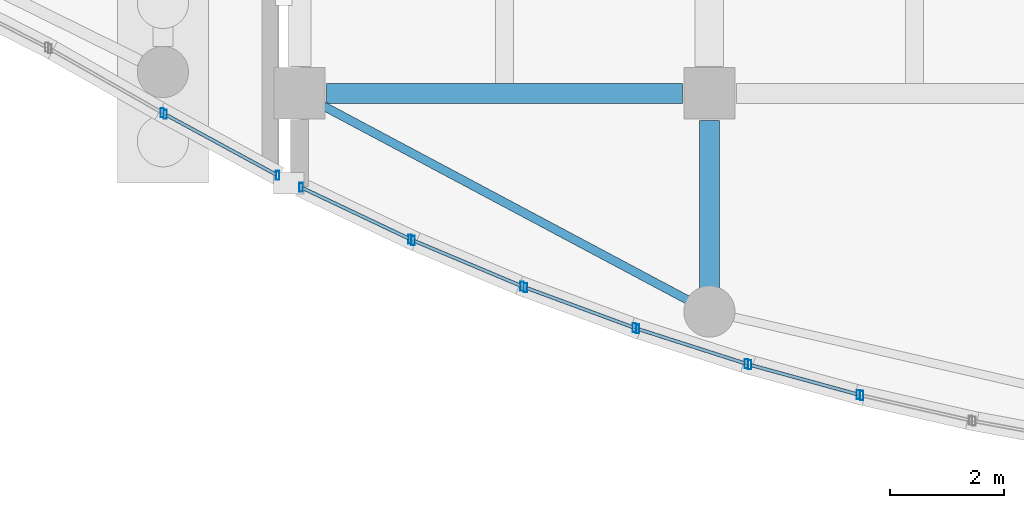
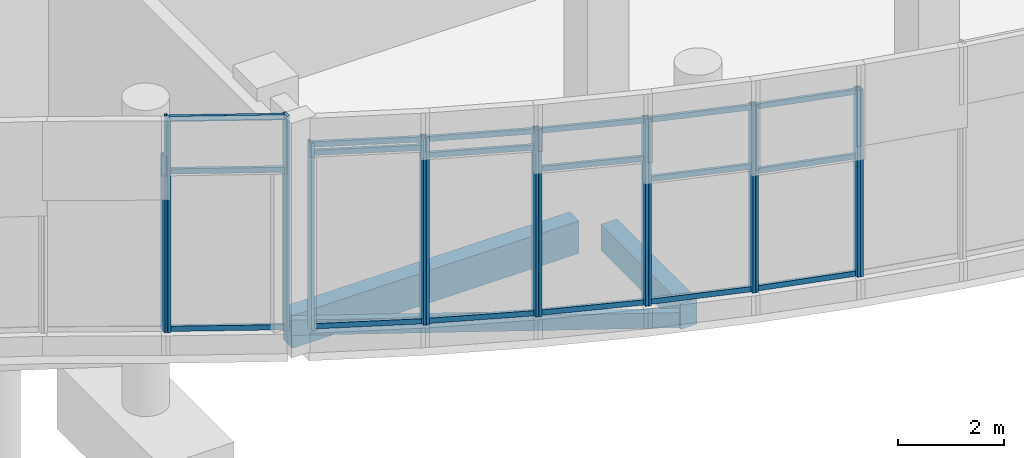
# One storey, part 70 of 192: 32 members, 3 beams, 8 elements without a shape of their own.
"""IFC4 building model written with IfcOpenShell, lengths in metres."""

import ifcopenshell
import ifcopenshell.guid

model = None  # the IFC model being written
_history = None  # IfcOwnerHistory: only IFC2X3 demands one
_inside = {}  # id of a spatial element -> (the spatial element, [elements in it])
_under = {}  # id of a project, library or spatial element -> (it, [spatial elements below it])
_declared = {}  # id of a project -> (the project, [libraries it declares])
_typed = {}  # id of a type object -> (the type object, [elements of that type])
_made_of = {}  # id of a material, layer set ... -> (it, [elements and type objects made of it])


def new_model(schema):
    """Start an empty IFC model of exactly this schema.

    Asked for "IFC4X3", IfcOpenShell would pick the latest addendum, in which some entities
    have other attributes; the version numbers below select the first issue.
    IFC2X3 requires an IfcOwnerHistory on every rooted entity: one is made here for all.
    """
    global model, _history
    if schema == "IFC4X3":
        model = ifcopenshell.file(schema_version=(4, 3, 0, 0))
    else:
        model = ifcopenshell.file(schema=schema)
    _inside.clear()
    _under.clear()
    _declared.clear()
    _typed.clear()
    _made_of.clear()
    _history = None
    if model.schema == "IFC2X3":
        org = make("IfcOrganization", Name="unknown")
        user = make(
            "IfcPersonAndOrganization",
            ThePerson=make("IfcPerson", FamilyName="unknown"),
            TheOrganization=org,
        )
        app = make(
            "IfcApplication",
            ApplicationDeveloper=org,
            Version="unknown",
            ApplicationFullName="unknown",
            ApplicationIdentifier="unknown",
        )
        _history = make(
            "IfcOwnerHistory",
            OwningUser=user,
            OwningApplication=app,
            ChangeAction="ADDED",
            CreationDate=0,
        )
    return model


def make(cls, **values):
    """One entity of the class cls with the attributes given. An attribute that is None is left unset."""
    return model.create_entity(
        cls, **{name: value for name, value in values.items() if value is not None}
    )


def rooted(cls, **values):
    """An entity with a GlobalId (a new one), such as an element, a storey or a relation."""
    return make(cls, GlobalId=ifcopenshell.guid.new(), OwnerHistory=_history, **values)


def si_unit(unit_type, name, prefix=None):
    """IfcSIUnit, for example si_unit("LENGTHUNIT", "METRE", prefix="MILLI")."""
    return make("IfcSIUnit", UnitType=unit_type, Prefix=prefix, Name=name)


def assignment(units):
    """IfcUnitAssignment: the units of a project."""
    return None if units is None else make("IfcUnitAssignment", Units=units)


def point(xyz):
    """IfcCartesianPoint."""
    return None if xyz is None else make("IfcCartesianPoint", Coordinates=xyz)


def direction(xyz):
    """IfcDirection."""
    return None if xyz is None else make("IfcDirection", DirectionRatios=xyz)


def frame(location, z_axis=None, x_axis=None):
    """IfcAxis2Placement3D, a coordinate frame: its origin and axes. An axis left out is left unset."""
    return make(
        "IfcAxis2Placement3D",
        Location=point(location),
        Axis=direction(z_axis),
        RefDirection=direction(x_axis),
    )


def frame_2d(location, x_axis=None):
    """IfcAxis2Placement2D, a coordinate frame in the plane: its origin and x axis."""
    return make(
        "IfcAxis2Placement2D", Location=point(location), RefDirection=direction(x_axis)
    )


def origin():
    """The frame at (0, 0, 0) with its axes left unset."""
    return frame((0.0, 0.0, 0.0))


def origin_2d():
    """The frame at (0, 0) in the plane with its x axis left unset."""
    return frame_2d((0.0, 0.0))


def place(relative_to, where):
    """IfcLocalPlacement: puts the frame where relative to a parent placement (None: the world)."""
    return make(
        "IfcLocalPlacement", PlacementRelTo=relative_to, RelativePlacement=where
    )


def context(
    kind, dimensions, precision=None, world=None, true_north=None, identifier=None
):
    """IfcGeometricRepresentationContext, for example the 3D "Model" context."""
    return make(
        "IfcGeometricRepresentationContext",
        ContextIdentifier=identifier,
        ContextType=kind,
        CoordinateSpaceDimension=dimensions,
        Precision=precision,
        WorldCoordinateSystem=world,
        TrueNorth=true_north,
    )


def subcontext(parent, identifier, kind, view, scale=None):
    """IfcGeometricRepresentationSubContext, for example "Body" below "Model"."""
    return make(
        "IfcGeometricRepresentationSubContext",
        ContextIdentifier=identifier,
        ContextType=kind,
        ParentContext=parent,
        TargetScale=scale,
        TargetView=view,
    )


def project(units=None, contexts=None):
    """IfcProject with its units and contexts."""
    return rooted(
        "IfcProject",
        Name="project",
        RepresentationContexts=contexts,
        UnitsInContext=assignment(units),
    )


def spatial(cls, under=None, at=None, **own):
    """A site, building, storey or space (cls), placed at a placement, below another one or the project."""
    s = rooted(cls, ObjectPlacement=at, **own)
    if under is not None:
        _under.setdefault(under.id(), (under, []))[1].append(s)
    return s


def profile(cls, at=None, kind="AREA", **sizes):
    """A parametric profile (cls). Its sizes go by their IFC names, for example OverallWidth=200.0."""
    return make(cls, ProfileType=kind, Position=at, **sizes)


def rectangle(**sizes):
    """IfcRectangleProfileDef."""
    return profile("IfcRectangleProfileDef", **sizes)


def hollow_rectangle(**sizes):
    """IfcRectangleHollowProfileDef."""
    return profile("IfcRectangleHollowProfileDef", **sizes)


def extrude(swept, where, along, depth):
    """IfcExtrudedAreaSolid: the profile swept, set in the frame where, extruded along a direction by depth."""
    return make(
        "IfcExtrudedAreaSolid",
        SweptArea=swept,
        Position=where,
        ExtrudedDirection=direction(along),
        Depth=depth,
    )


def shape(context_of_items, identifier, shape_type, items):
    """IfcShapeRepresentation: the items that make up one representation, for example the "Body"."""
    return make(
        "IfcShapeRepresentation",
        ContextOfItems=context_of_items,
        RepresentationIdentifier=identifier,
        RepresentationType=shape_type,
        Items=items,
    )


def material(Name=None, Category=None):
    """IfcMaterial."""
    return make("IfcMaterial", Name=Name, Category=Category)


def material_profile(
    of_material, cross_section, Name=None, Category=None, Priority=None
):
    """IfcMaterialProfile: a cross section and its material."""
    return make(
        "IfcMaterialProfile",
        Name=Name,
        Material=of_material,
        Profile=cross_section,
        Priority=Priority,
        Category=Category,
    )


def profile_set(profiles, Name=None, composite=None):
    """IfcMaterialProfileSet."""
    return make(
        "IfcMaterialProfileSet",
        Name=Name,
        MaterialProfiles=profiles,
        CompositeProfile=composite,
    )


def made_of(thing, what):
    """Note that an element or type object is made of a material, layer set ...; save() writes the relation."""
    if what is not None:
        _made_of.setdefault(what.id(), (what, []))[1].append(thing)
    return thing


def type_object(cls, material=None, **own):
    """A type object (cls), such as IfcWallType, which elements share."""
    return made_of(rooted(cls, **own), material)


def element(
    cls,
    number,
    at=None,
    inside=None,
    cuts=None,
    type_object=None,
    material=None,
    context=None,
    identifier="Body",
    shape_type=None,
    held_by="IfcProductDefinitionShape",
    body=None,
    shapes=None,
    **own,
):
    """One element of the class cls, such as IfcWall. Its Tag is "e" and its number.

    at: its placement. inside: the storey or other place that contains it. cuts: it is an
    opening in that element (IfcRelVoidsElement). A single representation is given by context,
    identifier, shape_type and body (its items); several are given by shapes. held_by: the class
    of the entity that holds the representations. save() writes the other relations.
    """
    e = rooted(cls, Tag="e%d" % number, ObjectPlacement=at, **own)
    if body is not None:
        shapes = [shape(context, identifier, shape_type, body)]
    if shapes is not None:
        e.Representation = make(held_by, Representations=shapes)
    if inside is not None:
        _inside.setdefault(inside.id(), (inside, []))[1].append(e)
    if cuts is not None:
        rooted(
            "IfcRelVoidsElement", RelatingBuildingElement=cuts, RelatedOpeningElement=e
        )
    if type_object is not None:
        _typed.setdefault(type_object.id(), (type_object, []))[1].append(e)
    return made_of(e, material)


def aggregate(whole, parts):
    """IfcRelAggregates: a whole, such as a stair, and the parts it consists of."""
    return rooted("IfcRelAggregates", RelatingObject=whole, RelatedObjects=parts)


def save(model, path):
    """Write the relations noted so far, then the file.

    IfcRelAggregates (storeys below a building ...), IfcRelContainedInSpatialStructure (elements
    in a storey), IfcRelDefinesByType, IfcRelAssociatesMaterial and IfcRelDeclares: one each for
    every whole, place, type object, material and project.
    """
    for whole, parts in _under.values():
        aggregate(whole, parts)
    for where, things in _inside.values():
        rooted(
            "IfcRelContainedInSpatialStructure",
            RelatedElements=things,
            RelatingStructure=where,
        )
    for kind, things in _typed.values():
        rooted("IfcRelDefinesByType", RelatedObjects=things, RelatingType=kind)
    for what, things in _made_of.values():
        rooted("IfcRelAssociatesMaterial", RelatedObjects=things, RelatingMaterial=what)
    for by, libraries in _declared.values():
        rooted("IfcRelDeclares", RelatingContext=by, RelatedDefinitions=libraries)
    model.write(path)


model = new_model("IFC4")

# Units and contexts
model_context = context("Model", 3, precision=1e-05, world=origin(), true_north=direction((0.0, 1.0)))
body_context = subcontext(model_context, "Body", "Model", "MODEL_VIEW")
ifc_project = project(units=[si_unit("LENGTHUNIT", "METRE"), si_unit("AREAUNIT", "SQUARE_METRE"), si_unit("VOLUMEUNIT", "CUBIC_METRE"), si_unit("PLANEANGLEUNIT", "RADIAN"), si_unit("MASSUNIT", "GRAM", prefix="KILO")], contexts=[model_context])

# Site, building, storey
site_placement = place(None, origin())
site = spatial("IfcSite", under=ifc_project, at=site_placement, CompositionType="ELEMENT")
building_placement = place(site_placement, origin())
building = spatial("IfcBuilding", under=site, at=building_placement, Name="Cendralis Lancet Convention Centre", CompositionType="ELEMENT")
storey_placement = place(building_placement, origin())
storey = spatial("IfcBuildingStorey", under=building, at=storey_placement, Name="L00", CompositionType="ELEMENT", Elevation=0.0)

# Curtain wall, member
ifc_material_1 = material(Name="Anodised bronze architectural aluminium", Category="aluminium")
curtain_wall_type_1 = type_object("IfcCurtainWallType", Name="ARC-CW-WF01", PredefinedType="USERDEFINED", material=ifc_material_1)
curtain_wall_1_placement = place(storey_placement, origin())
curtain_wall_1 = element("IfcCurtainWall", 1, at=curtain_wall_1_placement, inside=storey, type_object=curtain_wall_type_1, Name="L00 Curtain Wall CW-WF1 #054", ObjectType="CURTAIN WALL", PredefinedType="USERDEFINED")
ifc_material_profile_1 = material_profile(ifc_material_1, hollow_rectangle(XDim=0.06005859375, YDim=0.159912109375, WallThickness=0.00390625, at=origin_2d()), Name="AL-MULL 60x160x4.0")
ifc_profile_set_1 = profile_set([ifc_material_profile_1], Name="Anodised bronze architectural aluminium")
member_type_1 = type_object("IfcMemberType", Name="ARC-CW-ML01", PredefinedType="MULLION", material=ifc_profile_set_1)
member_1_placement = place(storey_placement, frame((129.5888671875, 6.85888671875, 0.449951171875), z_axis=(0.0, 0.0, 1.0), x_axis=(1.0, 0.0, 0.0)))
member_1 = element("IfcMember", 2, at=member_1_placement, type_object=member_type_1, Name="Mullion CW2-CW-WF1-L00-054-M1", PredefinedType="MULLION", context=body_context, shape_type="SweptSolid", body=[
    extrude(hollow_rectangle(XDim=0.06005859375, YDim=0.159912109375, WallThickness=0.00390625, at=origin_2d()), origin(), (0.0, 0.0, 1.0), 4.054931640625),
])
aggregate(curtain_wall_1, [member_1])

# Curtain wall, members
curtain_wall_2_placement = place(storey_placement, origin())
curtain_wall_2 = element("IfcCurtainWall", 3, at=curtain_wall_2_placement, inside=storey, type_object=curtain_wall_type_1, Name="L00 Curtain Wall CW-WF1 #055", ObjectType="CURTAIN WALL", PredefinedType="USERDEFINED")
member_2_placement = place(storey_placement, frame((129.641357421875, 6.82958984375, 0.449951171875), z_axis=(0.0, 0.0, 1.0), x_axis=(1.0, 0.0, 0.0)))
member_2 = element("IfcMember", 4, at=member_2_placement, type_object=member_type_1, Name="Mullion CW2-CW-WF1-L00-055-M0", PredefinedType="MULLION", context=body_context, shape_type="SweptSolid", body=[
    extrude(hollow_rectangle(XDim=0.06005859375, YDim=0.159912109375, WallThickness=0.00390625, at=origin_2d()), origin(), (0.0, 0.0, 1.0), 4.949951171875),
])
member_3_placement = place(storey_placement, frame((131.613525390625, 5.75732421875, 0.449951171875), z_axis=(0.0, 0.0, 1.0), x_axis=(1.0, 0.0, 0.0)))
member_3 = element("IfcMember", 5, at=member_3_placement, type_object=member_type_1, Name="Mullion CW2-CW-WF1-L00-055-M1", PredefinedType="MULLION", context=body_context, shape_type="SweptSolid", body=[
    extrude(hollow_rectangle(XDim=0.06005859375, YDim=0.159912109375, WallThickness=0.00390625, at=origin_2d()), origin(), (0.0, 0.0, 1.0), 4.949951171875),
])

curtain_wall_type_2 = type_object("IfcCurtainWallType", Name="ARC-CW-WF02", PredefinedType="USERDEFINED", material=ifc_material_1)
curtain_wall_3_placement = place(storey_placement, origin())
curtain_wall_3 = element("IfcCurtainWall", 6, at=curtain_wall_3_placement, inside=storey, type_object=curtain_wall_type_2, Name="L00 Curtain Wall CW-WF2 #056", ObjectType="CURTAIN WALL", PredefinedType="USERDEFINED")
member_4_placement = place(storey_placement, frame((132.027099609375, 5.547119140625, 0.449951171875), z_axis=(0.0, 0.0, 1.0), x_axis=(1.0, 0.0, 0.0)))
member_4 = element("IfcMember", 7, at=member_4_placement, type_object=member_type_1, Name="Mullion CW2-CW-WF2-L00-056-M0", PredefinedType="MULLION", context=body_context, shape_type="SweptSolid", body=[
    extrude(hollow_rectangle(XDim=0.06005859375, YDim=0.159912109375, WallThickness=0.00390625, at=origin_2d()), origin(), (0.0, 0.0, 1.0), 4.304931640625),
])
member_5_placement = place(storey_placement, frame((133.94189453125, 4.638916015625, 0.449951171875), z_axis=(0.0, 0.0, 1.0), x_axis=(1.0, 0.0, 0.0)))
member_5 = element("IfcMember", 8, at=member_5_placement, type_object=member_type_1, Name="Mullion CW2-CW-WF2-L00-056-M1", PredefinedType="MULLION", context=body_context, shape_type="SweptSolid", body=[
    extrude(hollow_rectangle(XDim=0.06005859375, YDim=0.159912109375, WallThickness=0.00390625, at=origin_2d()), origin(), (0.0, 0.0, 1.0), 4.304931640625),
])

curtain_wall_4_placement = place(storey_placement, origin())
curtain_wall_4 = element("IfcCurtainWall", 9, at=curtain_wall_4_placement, inside=storey, type_object=curtain_wall_type_2, Name="L00 Curtain Wall CW-WF2 #057", ObjectType="CURTAIN WALL", PredefinedType="USERDEFINED")
member_6_placement = place(storey_placement, frame((133.99658203125, 4.614501953125, 0.449951171875), z_axis=(0.0, 0.0, 1.0), x_axis=(1.0, 0.0, 0.0)))
member_6 = element("IfcMember", 10, at=member_6_placement, type_object=member_type_1, Name="Mullion CW2-CW-WF2-L00-057-M0", PredefinedType="MULLION", context=body_context, shape_type="SweptSolid", body=[
    extrude(hollow_rectangle(XDim=0.06005859375, YDim=0.159912109375, WallThickness=0.00390625, at=origin_2d()), origin(), (0.0, 0.0, 1.0), 4.304931640625),
])
member_7_placement = place(storey_placement, frame((135.910400390625, 3.8095703125, 0.449951171875), z_axis=(0.0, 0.0, 1.0), x_axis=(1.0, 0.0, 0.0)))
member_7 = element("IfcMember", 11, at=member_7_placement, type_object=member_type_1, Name="Mullion CW2-CW-WF2-L00-057-M1", PredefinedType="MULLION", context=body_context, shape_type="SweptSolid", body=[
    extrude(hollow_rectangle(XDim=0.06005859375, YDim=0.159912109375, WallThickness=0.00390625, at=origin_2d()), origin(), (0.0, 0.0, 1.0), 4.304931640625),
])

curtain_wall_5_placement = place(storey_placement, origin())
curtain_wall_5 = element("IfcCurtainWall", 12, at=curtain_wall_5_placement, inside=storey, type_object=curtain_wall_type_2, Name="L00 Curtain Wall CW-WF2 #058", ObjectType="CURTAIN WALL", PredefinedType="USERDEFINED")
member_8_placement = place(storey_placement, frame((135.966064453125, 3.78759765625, 0.449951171875), z_axis=(0.0, 0.0, 1.0), x_axis=(1.0, 0.0, 0.0)))
member_8 = element("IfcMember", 13, at=member_8_placement, type_object=member_type_1, Name="Mullion CW2-CW-WF2-L00-058-M0", PredefinedType="MULLION", context=body_context, shape_type="SweptSolid", body=[
    extrude(hollow_rectangle(XDim=0.06005859375, YDim=0.159912109375, WallThickness=0.00390625, at=origin_2d()), origin(), (0.0, 0.0, 1.0), 4.304931640625),
])
member_9_placement = place(storey_placement, frame((137.8798828125, 3.081298828125, 0.449951171875), z_axis=(0.0, 0.0, 1.0), x_axis=(1.0, 0.0, 0.0)))
member_9 = element("IfcMember", 14, at=member_9_placement, type_object=member_type_1, Name="Mullion CW2-CW-WF2-L00-058-M1", PredefinedType="MULLION", context=body_context, shape_type="SweptSolid", body=[
    extrude(hollow_rectangle(XDim=0.06005859375, YDim=0.159912109375, WallThickness=0.00390625, at=origin_2d()), origin(), (0.0, 0.0, 1.0), 4.304931640625),
])

curtain_wall_6_placement = place(storey_placement, origin())
curtain_wall_6 = element("IfcCurtainWall", 15, at=curtain_wall_6_placement, inside=storey, type_object=curtain_wall_type_2, Name="L00 Curtain Wall CW-WF2 #059", ObjectType="CURTAIN WALL", PredefinedType="USERDEFINED")
member_10_placement = place(storey_placement, frame((137.9365234375, 3.061767578125, 0.449951171875), z_axis=(0.0, 0.0, 1.0), x_axis=(1.0, 0.0, 0.0)))
member_10 = element("IfcMember", 16, at=member_10_placement, type_object=member_type_1, Name="Mullion CW2-CW-WF2-L00-059-M0", PredefinedType="MULLION", context=body_context, shape_type="SweptSolid", body=[
    extrude(hollow_rectangle(XDim=0.06005859375, YDim=0.159912109375, WallThickness=0.00390625, at=origin_2d()), origin(), (0.0, 0.0, 1.0), 4.304931640625),
])
member_11_placement = place(storey_placement, frame((139.848388671875, 2.4482421875, 0.449951171875), z_axis=(0.0, 0.0, 1.0), x_axis=(1.0, 0.0, 0.0)))
member_11 = element("IfcMember", 17, at=member_11_placement, type_object=member_type_1, Name="Mullion CW2-CW-WF2-L00-059-M1", PredefinedType="MULLION", context=body_context, shape_type="SweptSolid", body=[
    extrude(hollow_rectangle(XDim=0.06005859375, YDim=0.159912109375, WallThickness=0.00390625, at=origin_2d()), origin(), (0.0, 0.0, 1.0), 4.304931640625),
])

curtain_wall_7_placement = place(storey_placement, origin())
curtain_wall_7 = element("IfcCurtainWall", 18, at=curtain_wall_7_placement, inside=storey, type_object=curtain_wall_type_2, Name="L00 Curtain Wall CW-WF2 #060", ObjectType="CURTAIN WALL", PredefinedType="USERDEFINED")
member_12_placement = place(storey_placement, frame((139.906005859375, 2.43115234375, 0.449951171875), z_axis=(0.0, 0.0, 1.0), x_axis=(1.0, 0.0, 0.0)))
member_12 = element("IfcMember", 19, at=member_12_placement, type_object=member_type_1, Name="Mullion CW2-CW-WF2-L00-060-M0", PredefinedType="MULLION", context=body_context, shape_type="SweptSolid", body=[
    extrude(hollow_rectangle(XDim=0.06005859375, YDim=0.159912109375, WallThickness=0.00390625, at=origin_2d()), origin(), (0.0, 0.0, 1.0), 4.304931640625),
])
member_13_placement = place(storey_placement, frame((141.817138671875, 1.906982421875, 0.449951171875), z_axis=(0.0, 0.0, 1.0), x_axis=(1.0, 0.0, 0.0)))
member_13 = element("IfcMember", 20, at=member_13_placement, type_object=member_type_1, Name="Mullion CW2-CW-WF2-L00-060-M1", PredefinedType="MULLION", context=body_context, shape_type="SweptSolid", body=[
    extrude(hollow_rectangle(XDim=0.06005859375, YDim=0.159912109375, WallThickness=0.00390625, at=origin_2d()), origin(), (0.0, 0.0, 1.0), 4.304931640625),
])

# Curtain wall, member
curtain_wall_8_placement = place(storey_placement, origin())
curtain_wall_8 = element("IfcCurtainWall", 21, at=curtain_wall_8_placement, inside=storey, type_object=curtain_wall_type_2, Name="L00 Curtain Wall CW-WF2 #061", ObjectType="CURTAIN WALL", PredefinedType="USERDEFINED")
member_14_placement = place(storey_placement, frame((141.875244140625, 1.892333984375, 0.449951171875), z_axis=(0.0, 0.0, 1.0), x_axis=(1.0, 0.0, 0.0)))
member_14 = element("IfcMember", 22, at=member_14_placement, type_object=member_type_1, Name="Mullion CW2-CW-WF2-L00-061-M0", PredefinedType="MULLION", context=body_context, shape_type="SweptSolid", body=[
    extrude(hollow_rectangle(XDim=0.06005859375, YDim=0.159912109375, WallThickness=0.00390625, at=origin_2d()), origin(), (0.0, 0.0, 1.0), 4.304931640625),
])
aggregate(curtain_wall_8, [member_14])

# Member
ifc_material_profile_2 = material_profile(ifc_material_1, hollow_rectangle(XDim=0.06005859375, YDim=0.1201171875, WallThickness=0.00390625, at=origin_2d()), Name="AL-TRAN 60x120x4.0")
ifc_profile_set_2 = profile_set([ifc_material_profile_2], Name="Anodised bronze architectural aluminium")
member_type_2 = type_object("IfcMemberType", Name="ARC-CW-TR01", PredefinedType="USERDEFINED", material=ifc_profile_set_2)
member_15_placement = place(storey_placement, frame((129.667724609375, 6.815185546875, 0.510009765625), z_axis=(0.878594952996, -0.477567700509, 0.0), x_axis=(0.477567700509, 0.878594952996, 0.0)))
member_15 = element("IfcMember", 23, at=member_15_placement, type_object=member_type_2, Name="Transom CW2-CW-WF1-L00-055-T0BOT", ObjectType="TRANSOM", PredefinedType="USERDEFINED", context=body_context, shape_type="SweptSolid", body=[
    extrude(hollow_rectangle(XDim=0.06005859375, YDim=0.1201171875, WallThickness=0.00390625, at=origin_2d()), origin(), (0.0, 0.0, 1.0), 2.18505859375),
])

member_16_placement = place(storey_placement, frame((129.667724609375, 6.815185546875, 4.133056640625), z_axis=(0.878594952996, -0.477567700509, 0.0), x_axis=(0.477567700509, 0.878594952996, 0.0)))
member_16 = element("IfcMember", 24, at=member_16_placement, type_object=member_type_2, Name="Transom CW2-CW-WF1-L00-055-T0MID", ObjectType="TRANSOM", PredefinedType="USERDEFINED", context=body_context, shape_type="SweptSolid", body=[
    extrude(hollow_rectangle(XDim=0.06005859375, YDim=0.1201171875, WallThickness=0.00390625, at=origin_2d()), origin(), (0.0, 0.0, 1.0), 2.18505859375),
])

member_17_placement = place(storey_placement, frame((129.667724609375, 6.815185546875, 5.340087890625), z_axis=(0.878594952996, -0.477567700509, 0.0), x_axis=(0.477567700509, 0.878594952996, 0.0)))
member_17 = element("IfcMember", 25, at=member_17_placement, type_object=member_type_2, Name="Transom CW2-CW-WF1-L00-055-T0TOP", ObjectType="TRANSOM", PredefinedType="USERDEFINED", context=body_context, shape_type="SweptSolid", body=[
    extrude(hollow_rectangle(XDim=0.06005859375, YDim=0.1201171875, WallThickness=0.00390625, at=origin_2d()), origin(), (0.0, 0.0, 1.0), 2.18505859375),
])

aggregate(curtain_wall_2, [member_2, member_3, member_15, member_16, member_17])

member_18_placement = place(storey_placement, frame((132.05419921875, 5.5341796875, 0.510009765625), z_axis=(0.903505961382, -0.428575521637, 0.0), x_axis=(0.428575521637, 0.903505961382, 0.0)))
member_18 = element("IfcMember", 26, at=member_18_placement, type_object=member_type_2, Name="Transom CW2-CW-WF2-L00-056-T0BOT", ObjectType="TRANSOM", PredefinedType="USERDEFINED", context=body_context, shape_type="SweptSolid", body=[
    extrude(hollow_rectangle(XDim=0.06005859375, YDim=0.1201171875, WallThickness=0.00390625, at=origin_2d()), origin(), (0.0, 0.0, 1.0), 2.059326171875),
])

member_19_placement = place(storey_placement, frame((132.05419921875, 5.5341796875, 4.501953125), z_axis=(0.903505961382, -0.428575521637, 0.0), x_axis=(0.428575521637, 0.903505961382, 0.0)))
member_19 = element("IfcMember", 27, at=member_19_placement, type_object=member_type_2, Name="Transom CW2-CW-WF2-L00-056-T0MID", ObjectType="TRANSOM", PredefinedType="USERDEFINED", context=body_context, shape_type="SweptSolid", body=[
    extrude(hollow_rectangle(XDim=0.06005859375, YDim=0.1201171875, WallThickness=0.00390625, at=origin_2d()), origin(), (0.0, 0.0, 1.0), 2.059326171875),
])

member_20_placement = place(storey_placement, frame((132.05419921875, 5.5341796875, 4.695068359375), z_axis=(0.903505961382, -0.428575521637, 0.0), x_axis=(0.428575521637, 0.903505961382, 0.0)))
member_20 = element("IfcMember", 28, at=member_20_placement, type_object=member_type_2, Name="Transom CW2-CW-WF2-L00-056-T0TOP", ObjectType="TRANSOM", PredefinedType="USERDEFINED", context=body_context, shape_type="SweptSolid", body=[
    extrude(hollow_rectangle(XDim=0.06005859375, YDim=0.1201171875, WallThickness=0.00390625, at=origin_2d()), origin(), (0.0, 0.0, 1.0), 2.059326171875),
])

aggregate(curtain_wall_3, [member_4, member_5, member_18, member_19, member_20])

member_21_placement = place(storey_placement, frame((134.0244140625, 4.602783203125, 0.510009765625), z_axis=(0.921810804169, -0.387640092505, 0.0), x_axis=(0.387640092505, 0.921810804169, 0.0)))
member_21 = element("IfcMember", 29, at=member_21_placement, type_object=member_type_2, Name="Transom CW2-CW-WF2-L00-057-T0BOT", ObjectType="TRANSOM", PredefinedType="USERDEFINED", context=body_context, shape_type="SweptSolid", body=[
    extrude(hollow_rectangle(XDim=0.06005859375, YDim=0.1201171875, WallThickness=0.00390625, at=origin_2d()), origin(), (0.0, 0.0, 1.0), 2.01611328125),
])

member_22_placement = place(storey_placement, frame((134.0244140625, 4.602783203125, 4.322021484375), z_axis=(0.921810804169, -0.387640092505, 0.0), x_axis=(0.387640092505, 0.921810804169, 0.0)))
member_22 = element("IfcMember", 30, at=member_22_placement, type_object=member_type_2, Name="Transom CW2-CW-WF2-L00-057-T0MID", ObjectType="TRANSOM", PredefinedType="USERDEFINED", context=body_context, shape_type="SweptSolid", body=[
    extrude(hollow_rectangle(XDim=0.06005859375, YDim=0.1201171875, WallThickness=0.00390625, at=origin_2d()), origin(), (0.0, 0.0, 1.0), 2.01611328125),
])

member_23_placement = place(storey_placement, frame((134.0244140625, 4.602783203125, 4.695068359375), z_axis=(0.921810804169, -0.387640092505, 0.0), x_axis=(0.387640092505, 0.921810804169, 0.0)))
member_23 = element("IfcMember", 31, at=member_23_placement, type_object=member_type_2, Name="Transom CW2-CW-WF2-L00-057-T0TOP", ObjectType="TRANSOM", PredefinedType="USERDEFINED", context=body_context, shape_type="SweptSolid", body=[
    extrude(hollow_rectangle(XDim=0.06005859375, YDim=0.1201171875, WallThickness=0.00390625, at=origin_2d()), origin(), (0.0, 0.0, 1.0), 2.01611328125),
])

aggregate(curtain_wall_4, [member_6, member_7, member_21, member_22, member_23])

member_24_placement = place(storey_placement, frame((135.994384765625, 3.777099609375, 0.510009765625), z_axis=(0.93818089947, -0.346145345007, 0.0), x_axis=(0.346145345007, 0.93818089947, 0.0)))
member_24 = element("IfcMember", 32, at=member_24_placement, type_object=member_type_2, Name="Transom CW2-CW-WF2-L00-058-T0BOT", ObjectType="TRANSOM", PredefinedType="USERDEFINED", context=body_context, shape_type="SweptSolid", body=[
    extrude(hollow_rectangle(XDim=0.06005859375, YDim=0.1201171875, WallThickness=0.00390625, at=origin_2d()), origin(), (0.0, 0.0, 1.0), 1.979736328125),
])

member_25_placement = place(storey_placement, frame((135.994384765625, 3.777099609375, 3.81396484375), z_axis=(0.93818089947, -0.346145345007, 0.0), x_axis=(0.346145345007, 0.93818089947, 0.0)))
member_25 = element("IfcMember", 33, at=member_25_placement, type_object=member_type_2, Name="Transom CW2-CW-WF2-L00-058-T0MID", ObjectType="TRANSOM", PredefinedType="USERDEFINED", context=body_context, shape_type="SweptSolid", body=[
    extrude(hollow_rectangle(XDim=0.06005859375, YDim=0.1201171875, WallThickness=0.00390625, at=origin_2d()), origin(), (0.0, 0.0, 1.0), 1.979736328125),
])

member_26_placement = place(storey_placement, frame((135.994384765625, 3.777099609375, 4.695068359375), z_axis=(0.93818089947, -0.346145345007, 0.0), x_axis=(0.346145345007, 0.93818089947, 0.0)))
member_26 = element("IfcMember", 34, at=member_26_placement, type_object=member_type_2, Name="Transom CW2-CW-WF2-L00-058-T0TOP", ObjectType="TRANSOM", PredefinedType="USERDEFINED", context=body_context, shape_type="SweptSolid", body=[
    extrude(hollow_rectangle(XDim=0.06005859375, YDim=0.1201171875, WallThickness=0.00390625, at=origin_2d()), origin(), (0.0, 0.0, 1.0), 1.979736328125),
])

aggregate(curtain_wall_5, [member_8, member_9, member_24, member_25, member_26])

member_27_placement = place(storey_placement, frame((137.965087890625, 3.052734375, 0.510009765625), z_axis=(0.952134129743, -0.305680550539, 0.0), x_axis=(0.305680550539, 0.952134129743, 0.0)))
member_27 = element("IfcMember", 35, at=member_27_placement, type_object=member_type_2, Name="Transom CW2-CW-WF2-L00-059-T0BOT", ObjectType="TRANSOM", PredefinedType="USERDEFINED", context=body_context, shape_type="SweptSolid", body=[
    extrude(hollow_rectangle(XDim=0.06005859375, YDim=0.1201171875, WallThickness=0.00390625, at=origin_2d()), origin(), (0.0, 0.0, 1.0), 1.947998046875),
])

member_28_placement = place(storey_placement, frame((137.965087890625, 3.052734375, 3.33203125), z_axis=(0.952134129743, -0.305680550539, 0.0), x_axis=(0.305680550539, 0.952134129743, 0.0)))
member_28 = element("IfcMember", 36, at=member_28_placement, type_object=member_type_2, Name="Transom CW2-CW-WF2-L00-059-T0MID", ObjectType="TRANSOM", PredefinedType="USERDEFINED", context=body_context, shape_type="SweptSolid", body=[
    extrude(hollow_rectangle(XDim=0.06005859375, YDim=0.1201171875, WallThickness=0.00390625, at=origin_2d()), origin(), (0.0, 0.0, 1.0), 1.947998046875),
])

member_29_placement = place(storey_placement, frame((137.965087890625, 3.052734375, 4.695068359375), z_axis=(0.952134129743, -0.305680550539, 0.0), x_axis=(0.305680550539, 0.952134129743, 0.0)))
member_29 = element("IfcMember", 37, at=member_29_placement, type_object=member_type_2, Name="Transom CW2-CW-WF2-L00-059-T0TOP", ObjectType="TRANSOM", PredefinedType="USERDEFINED", context=body_context, shape_type="SweptSolid", body=[
    extrude(hollow_rectangle(XDim=0.06005859375, YDim=0.1201171875, WallThickness=0.00390625, at=origin_2d()), origin(), (0.0, 0.0, 1.0), 1.947998046875),
])

aggregate(curtain_wall_6, [member_10, member_11, member_27, member_28, member_29])

member_30_placement = place(storey_placement, frame((139.934814453125, 2.423095703125, 0.510009765625), z_axis=(0.964384626903, -0.26450385894, 0.0), x_axis=(0.26450385894, 0.964384626903, 0.0)))
member_30 = element("IfcMember", 38, at=member_30_placement, type_object=member_type_2, Name="Transom CW2-CW-WF2-L00-060-T0BOT", ObjectType="TRANSOM", PredefinedType="USERDEFINED", context=body_context, shape_type="SweptSolid", body=[
    extrude(hollow_rectangle(XDim=0.06005859375, YDim=0.1201171875, WallThickness=0.00390625, at=origin_2d()), origin(), (0.0, 0.0, 1.0), 1.921630859375),
])

member_31_placement = place(storey_placement, frame((139.934814453125, 2.423095703125, 3.208984375), z_axis=(0.964384626903, -0.26450385894, 0.0), x_axis=(0.26450385894, 0.964384626903, 0.0)))
member_31 = element("IfcMember", 39, at=member_31_placement, type_object=member_type_2, Name="Transom CW2-CW-WF2-L00-060-T0MID", ObjectType="TRANSOM", PredefinedType="USERDEFINED", context=body_context, shape_type="SweptSolid", body=[
    extrude(hollow_rectangle(XDim=0.06005859375, YDim=0.1201171875, WallThickness=0.00390625, at=origin_2d()), origin(), (0.0, 0.0, 1.0), 1.921630859375),
])

member_32_placement = place(storey_placement, frame((139.934814453125, 2.423095703125, 4.695068359375), z_axis=(0.964384626903, -0.26450385894, 0.0), x_axis=(0.26450385894, 0.964384626903, 0.0)))
member_32 = element("IfcMember", 40, at=member_32_placement, type_object=member_type_2, Name="Transom CW2-CW-WF2-L00-060-T0TOP", ObjectType="TRANSOM", PredefinedType="USERDEFINED", context=body_context, shape_type="SweptSolid", body=[
    extrude(hollow_rectangle(XDim=0.06005859375, YDim=0.1201171875, WallThickness=0.00390625, at=origin_2d()), origin(), (0.0, 0.0, 1.0), 1.921630859375),
])

aggregate(curtain_wall_7, [member_12, member_13, member_30, member_31, member_32])

# Beams
ifc_material_2 = material(Name="Concrete G35 (C35/45)", Category="concrete")
ifc_material_profile_3 = material_profile(ifc_material_2, rectangle(XDim=0.35009765625, YDim=0.60009765625, at=origin_2d()), Name="RCB 350x600")
ifc_profile_set_3 = profile_set([ifc_material_profile_3], Name="Concrete G35 (C35/45)")
beam_type_1 = type_object("IfcBeamType", Name="STR-BM-BG16", PredefinedType="BEAM", material=ifc_profile_set_3)
beam_1_placement = place(storey_placement, frame((139.199951171875, 3.7158203125, -0.6201171875), z_axis=(0.0, 1.0, 0.0), x_axis=(-1.0, 0.0, 0.0)))
element("IfcBeam", 41, at=beam_1_placement, inside=storey, type_object=beam_type_1, Name="L00 Beam BG16 #1026", PredefinedType="BEAM", context=body_context, shape_type="SweptSolid", body=[
    extrude(rectangle(XDim=0.35009765625, YDim=0.60009765625, at=origin_2d()), origin(), (0.0, 0.0, 1.0), 3.00927734375),
])
ifc_material_3 = material(Name="Concrete G40 (C40/50)", Category="concrete")
ifc_material_profile_4 = material_profile(ifc_material_3, rectangle(XDim=0.35009765625, YDim=0.75, at=origin_2d()), Name="RCB 350x750")
ifc_profile_set_4 = profile_set([ifc_material_profile_4], Name="Concrete G40 (C40/50)")
beam_type_2 = type_object("IfcBeamType", Name="STR-SP-SP01", PredefinedType="SPANDREL", material=ifc_profile_set_4)
beam_2_placement = place(storey_placement, frame((132.47509765625, 7.199951171875, -0.695068359375), z_axis=(1.0, 0.0, 0.0), x_axis=(0.0, 1.0, 0.0)))
element("IfcBeam", 42, at=beam_2_placement, inside=storey, type_object=beam_type_2, Name="L00 Beam SP01 #0001", PredefinedType="SPANDREL", context=body_context, shape_type="SweptSolid", body=[
    extrude(rectangle(XDim=0.35009765625, YDim=0.75, at=origin_2d()), origin(), (0.0, 0.0, 1.0), 6.25),
])
ifc_material_4 = material(Name="Steel S355", Category="steel")
ifc_material_profile_5 = material_profile(ifc_material_4, hollow_rectangle(XDim=0.14990234375, YDim=0.35009765625, WallThickness=0.012451171875, at=origin_2d()), Name="RHS 350x150x12.5")
ifc_profile_set_5 = profile_set([ifc_material_profile_5], Name="Steel S355")
beam_type_3 = type_object("IfcBeamType", Name="STR-SP-SP04", PredefinedType="SPANDREL", material=ifc_profile_set_5)
beam_3_placement = place(storey_placement, frame((132.419189453125, 6.976806640625, -0.4951171875), z_axis=(0.882644946815, -0.470040315145, 0.0), x_axis=(0.470040315145, 0.882644946815, 0.0)))
element("IfcBeam", 43, at=beam_3_placement, inside=storey, type_object=beam_type_3, Name="L00 Beam SP04 #1040", PredefinedType="SPANDREL", context=body_context, shape_type="SweptSolid", body=[
    extrude(hollow_rectangle(XDim=0.14990234375, YDim=0.35009765625, WallThickness=0.012451171875, at=origin_2d()), origin(), (0.0, 0.0, 1.0), 7.33251953125),
])

save(model, "model.ifc")
